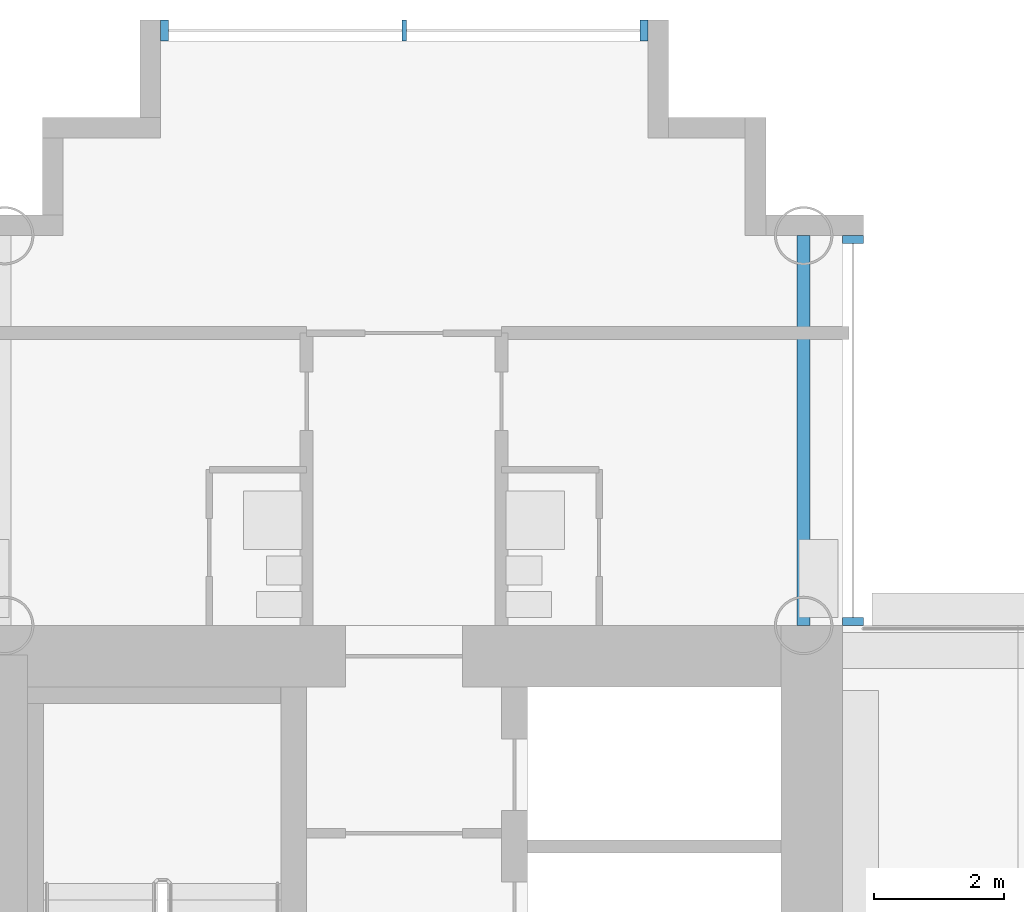
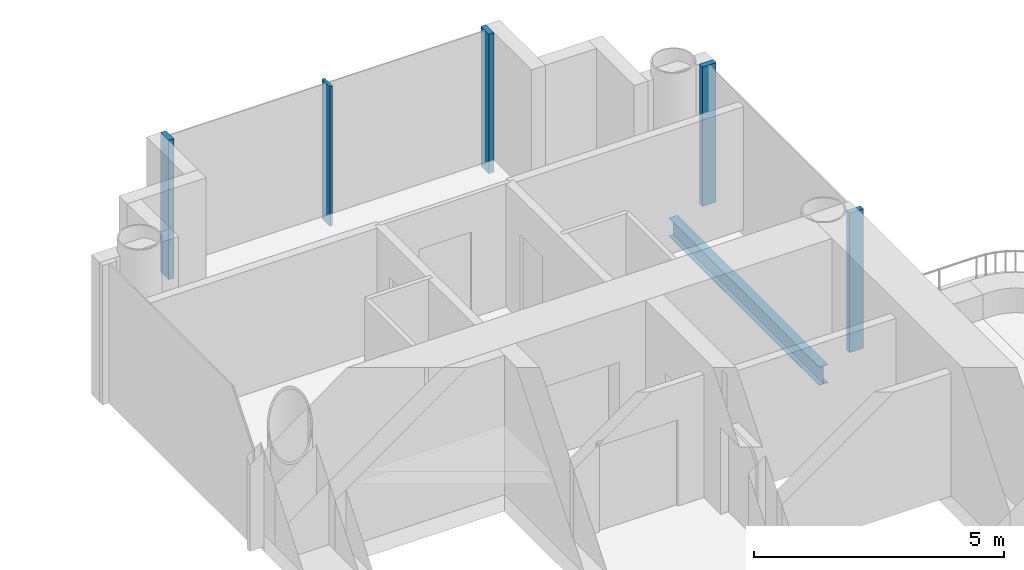
# One storey, part 6 of 21: 5 members, 1 beam, 2 elements without a shape of their own.
"""IFC4 building model written with IfcOpenShell, lengths in metres."""

from ifc_helpers import new_model, si_unit, direction, frame, origin, origin_2d, place, context, subcontext, project, spatial, rectangle, i_section, extrude, material, layer, layer_set, material_profile, profile_set, type_object, element, aggregate, save


model = new_model("IFC4")

# Units and contexts
model_context = context("Model", 3, precision=1e-05, world=origin(), true_north=direction((0.0, 1.0)))
body_context = subcontext(model_context, "Body", "Model", "MODEL_VIEW")
ifc_project = project(units=[si_unit("LENGTHUNIT", "METRE"), si_unit("AREAUNIT", "SQUARE_METRE"), si_unit("VOLUMEUNIT", "CUBIC_METRE"), si_unit("PLANEANGLEUNIT", "RADIAN"), si_unit("MASSUNIT", "GRAM", prefix="KILO")], contexts=[model_context])

# Site, building, storey
site_placement = place(None, origin())
site = spatial("IfcSite", under=ifc_project, at=site_placement, CompositionType="ELEMENT")
building_placement = place(site_placement, origin())
building = spatial("IfcBuilding", under=site, at=building_placement, Name="Ipe Terrace Towers", CompositionType="ELEMENT")
storey_placement = place(building_placement, frame((0.0, 0.0, 97.0)))
storey = spatial("IfcBuildingStorey", under=building, at=storey_placement, Name="L26", CompositionType="ELEMENT", Elevation=97.0)

# Beam
ifc_material_1 = material(Name="Steel S355", Category="steel")
ifc_material_profile_1 = material_profile(ifc_material_1, i_section(OverallWidth=0.199951171875, OverallDepth=0.449951171875, WebThickness=0.009033203125, FlangeThickness=0.013916015625, at=origin_2d()), Name="H-450x200x9x14")
ifc_profile_set_1 = profile_set([ifc_material_profile_1], Name="Steel S355")
beam_type = type_object("IfcBeamType", Name="H08 EDGE BEAM H-450x200x9x14", PredefinedType="BEAM", material=ifc_profile_set_1)
beam_placement = place(storey_placement, frame((42.14990234375, 15.75, -0.625), z_axis=(0.0, 1.0, 0.0), x_axis=(-1.0, 0.0, 0.0)))
element("IfcBeam", 1, at=beam_placement, inside=storey, type_object=beam_type, Name="Edge beam T2-EB-A01-A03", PredefinedType="BEAM", context=body_context, shape_type="SweptSolid", body=[
    extrude(i_section(OverallWidth=0.199951171875, OverallDepth=0.449951171875, WebThickness=0.009033203125, FlangeThickness=0.013916015625, at=origin_2d()), origin(), (0.0, 0.0, 1.0), 6.0),
])

# Curtain wall, members
ifc_material_2 = material(Name="Aluminium alloy 6063-T6", Category="aluminium")
ifc_layer = layer(ifc_material_2, 0.320068359375)
ifc_layer_set = layer_set([ifc_layer], Name="TOWER UNITISED CURTAIN WALL")
curtain_wall_type = type_object("IfcCurtainWallType", Name="TOWER UNITISED CURTAIN WALL", PredefinedType="NOTDEFINED", material=ifc_layer_set)
curtain_wall_1_placement = place(storey_placement, origin())
curtain_wall_1 = element("IfcCurtainWall", 2, at=curtain_wall_1_placement, inside=storey, type_object=curtain_wall_type, Name="T2-CW-L26-16b curtain wall", PredefinedType="NOTDEFINED")
ifc_material_3 = material(Name="Aluminium alloy 6063-T6", Category="aluminium")
ifc_material_profile_2 = material_profile(ifc_material_3, rectangle(XDim=0.320068359375, YDim=0.1201171875, at=origin_2d()), Name="TOWER UNITISED CORNER MULLION 320 x 120")
ifc_profile_set_2 = profile_set([ifc_material_profile_2], Name="Aluminium alloy 6063-T6")
member_type_1 = type_object("IfcMemberType", Name="TOWER UNITISED CORNER MULLION 320 x 120", PredefinedType="MULLION", material=ifc_profile_set_2)
member_1_placement = place(storey_placement, frame((42.909912109375, 15.81103515625, -0.300048828125), z_axis=(0.0, 0.0, 1.0), x_axis=(1.0, 0.0, 0.0)))
member_1 = element("IfcMember", 3, at=member_1_placement, type_object=member_type_1, Name="T2-CW-L26-16b mullion 1", PredefinedType="MULLION", context=body_context, shape_type="SweptSolid", body=[
    extrude(rectangle(XDim=0.320068359375, YDim=0.1201171875, at=origin_2d()), origin(), (0.0, 0.0, 1.0), 3.400146484375),
])
member_2_placement = place(storey_placement, frame((42.909912109375, 21.68994140625, -0.300048828125), z_axis=(0.0, 0.0, 1.0), x_axis=(1.0, 0.0, 0.0)))
member_2 = element("IfcMember", 4, at=member_2_placement, type_object=member_type_1, Name="T2-CW-L26-16b mullion 2", PredefinedType="MULLION", context=body_context, shape_type="SweptSolid", body=[
    extrude(rectangle(XDim=0.320068359375, YDim=0.1201171875, at=origin_2d()), origin(), (0.0, 0.0, 1.0), 3.400146484375),
])
aggregate(curtain_wall_1, [member_1, member_2])

curtain_wall_2_placement = place(storey_placement, origin())
curtain_wall_2 = element("IfcCurtainWall", 5, at=curtain_wall_2_placement, inside=storey, type_object=curtain_wall_type, Name="T2-CW-L26-21a curtain wall", PredefinedType="NOTDEFINED")
member_3_placement = place(storey_placement, frame((39.68994140625, 24.909912109375, -0.300048828125), z_axis=(0.0, 0.0, 1.0), x_axis=(0.0, 1.0, 0.0)))
member_3 = element("IfcMember", 6, at=member_3_placement, type_object=member_type_1, Name="T2-CW-L26-21a mullion 1", PredefinedType="MULLION", context=body_context, shape_type="SweptSolid", body=[
    extrude(rectangle(XDim=0.320068359375, YDim=0.1201171875, at=origin_2d()), origin(), (0.0, 0.0, 1.0), 3.400146484375),
])
member_4_placement = place(storey_placement, frame((32.31005859375, 24.909912109375, -0.300048828125), z_axis=(0.0, 0.0, 1.0), x_axis=(0.0, 1.0, 0.0)))
member_4 = element("IfcMember", 7, at=member_4_placement, type_object=member_type_1, Name="T2-CW-L26-21a mullion 3", PredefinedType="MULLION", context=body_context, shape_type="SweptSolid", body=[
    extrude(rectangle(XDim=0.320068359375, YDim=0.1201171875, at=origin_2d()), origin(), (0.0, 0.0, 1.0), 3.400146484375),
])
ifc_material_4 = material(Name="Aluminium alloy 6063-T6", Category="aluminium")
ifc_material_profile_3 = material_profile(ifc_material_4, rectangle(XDim=0.320068359375, YDim=0.06494140625, at=origin_2d()), Name="TOWER UNITISED MULLION 320 x 65")
ifc_profile_set_3 = profile_set([ifc_material_profile_3], Name="Aluminium alloy 6063-T6")
member_type_2 = type_object("IfcMemberType", Name="TOWER UNITISED MULLION 320 x 65", PredefinedType="MULLION", material=ifc_profile_set_3)
member_5_placement = place(storey_placement, frame((36.0, 24.909912109375, -0.300048828125), z_axis=(0.0, 0.0, 1.0), x_axis=(0.0, 1.0, 0.0)))
member_5 = element("IfcMember", 8, at=member_5_placement, type_object=member_type_2, Name="T2-CW-L26-21a mullion 2", PredefinedType="MULLION", context=body_context, shape_type="SweptSolid", body=[
    extrude(rectangle(XDim=0.320068359375, YDim=0.06494140625, at=origin_2d()), origin(), (0.0, 0.0, 1.0), 3.400146484375),
])
aggregate(curtain_wall_2, [member_3, member_5, member_4])

save(model, "model.ifc")
